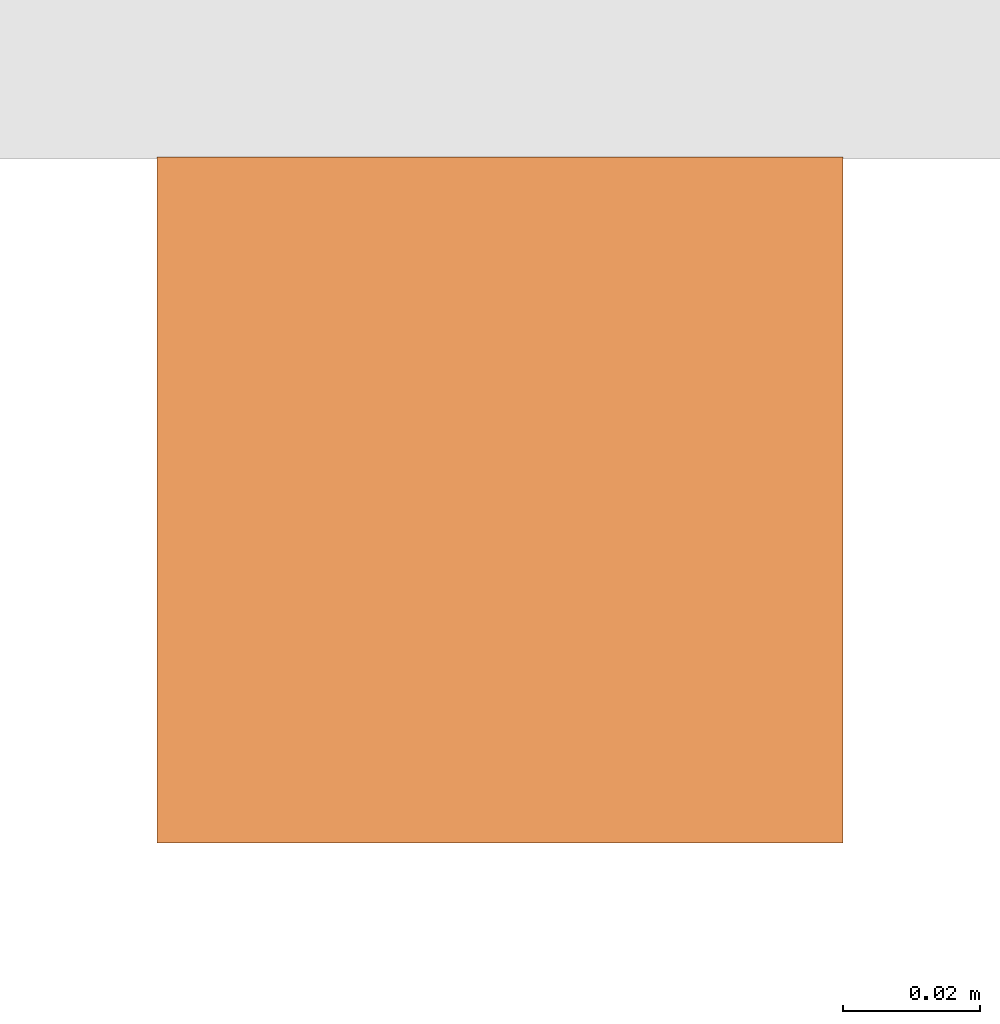
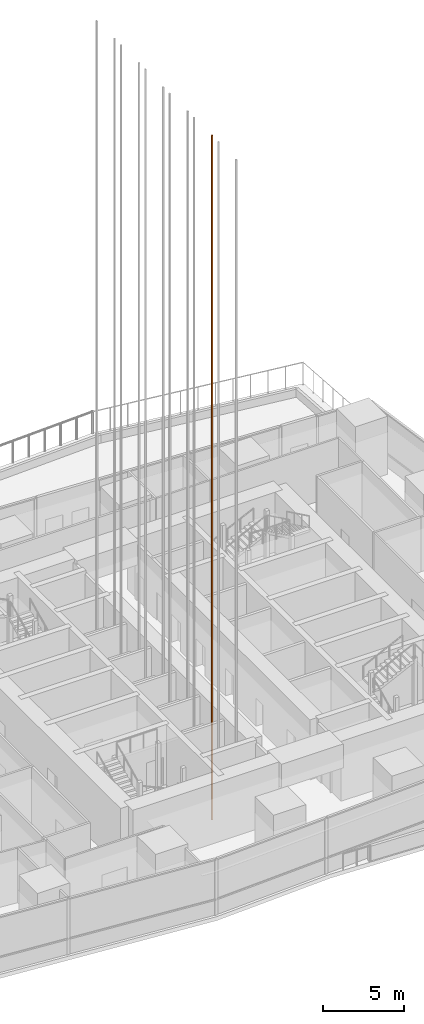
# One storey, part 30 of 39: 1 proxy.
"""IFC4 building model written with IfcOpenShell, lengths in metres."""

from ifc_helpers import new_model, si_unit, direction, frame, origin, origin_2d, place, context, subcontext, project, spatial, rectangle, extrude, material, type_object, element, save


model = new_model("IFC4")

# Units and contexts
model_context = context("Model", 3, precision=1e-05, world=origin(), true_north=direction((0.0, 1.0)))
body_context = subcontext(model_context, "Body", "Model", "MODEL_VIEW")
ifc_project = project(units=[si_unit("LENGTHUNIT", "METRE"), si_unit("AREAUNIT", "SQUARE_METRE"), si_unit("VOLUMEUNIT", "CUBIC_METRE"), si_unit("PLANEANGLEUNIT", "RADIAN"), si_unit("MASSUNIT", "GRAM", prefix="KILO")], contexts=[model_context])

# Site, building, storey
site_placement = place(None, origin())
site = spatial("IfcSite", under=ifc_project, at=site_placement, CompositionType="ELEMENT")
building_placement = place(site_placement, origin())
building = spatial("IfcBuilding", under=site, at=building_placement, Name="Rekha Terrace Tower", CompositionType="ELEMENT")
storey_placement = place(building_placement, frame((0.0, 0.0, 245.60009765625)))
storey = spatial("IfcBuildingStorey", under=building, at=storey_placement, Name="L62", CompositionType="ELEMENT", Elevation=245.60009765625)

# Proxy
ifc_material = material(Name="Steel guide rail", Category="steel")
building_element_proxy_type = type_object("IfcBuildingElementProxyType", Name="LR1 100 lift guide rail", PredefinedType="ELEMENT", material=ifc_material)
proxy_placement = place(storey_placement, frame((34.5, 26.800048828125, -3.30029296875), z_axis=(0.0, 0.0, 1.0), x_axis=(1.0, 0.0, 0.0)))
element("IfcBuildingElementProxy", 1, at=proxy_placement, inside=storey, type_object=building_element_proxy_type, Name="Lift D2 guide rail 1", PredefinedType="ELEMENT", context=body_context, shape_type="SweptSolid", body=[
    extrude(rectangle(XDim=0.10009765625, YDim=0.10009765625, at=origin_2d()), origin(), (0.0, 0.0, 1.0), 51.449951171875),
])

save(model, "model.ifc")
